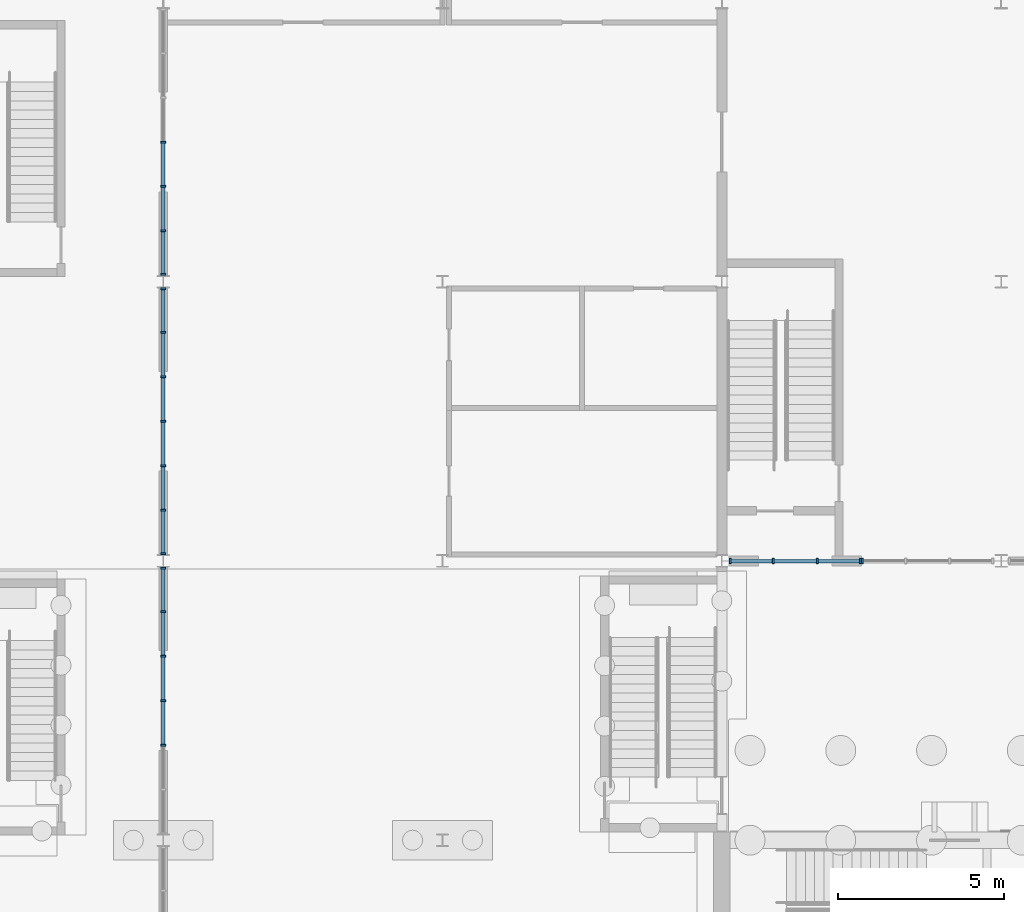
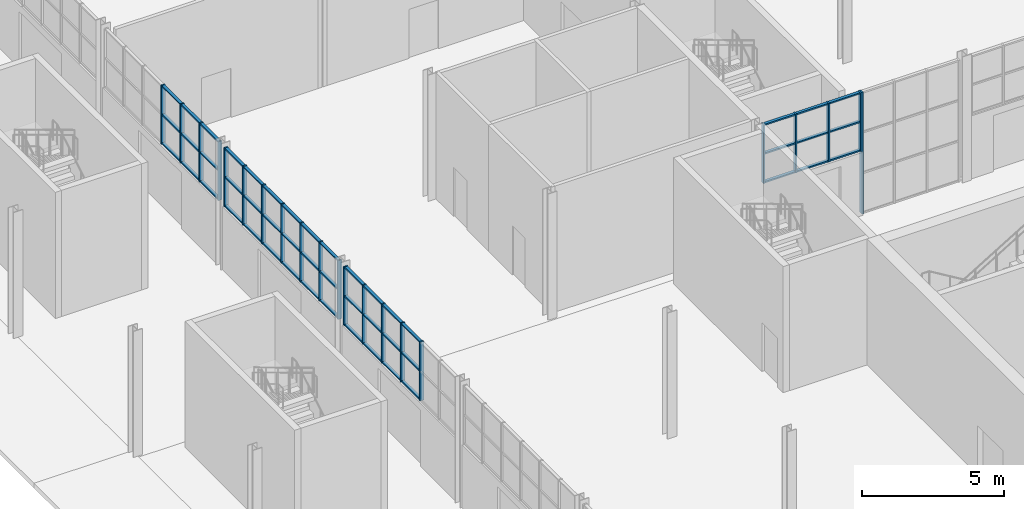
# One storey, part 38 of 127: 69 members, 5 elements without a shape of their own.
"""IFC4 building model written with IfcOpenShell, lengths in metres."""

from ifc_helpers import new_model, si_unit, direction, frame, origin, origin_2d, place, context, subcontext, project, spatial, rectangle, extrude, material, material_profile, profile_set, type_object, element, aggregate, save


model = new_model("IFC4")

# Units and contexts
model_context = context("Model", 3, precision=1e-05, world=origin(), true_north=direction((0.0, 1.0)))
body_context = subcontext(model_context, "Body", "Model", "MODEL_VIEW")
ifc_project = project(units=[si_unit("LENGTHUNIT", "METRE"), si_unit("AREAUNIT", "SQUARE_METRE"), si_unit("VOLUMEUNIT", "CUBIC_METRE"), si_unit("PLANEANGLEUNIT", "RADIAN"), si_unit("MASSUNIT", "GRAM", prefix="KILO")], contexts=[model_context])

# Site, building, storey
site_placement = place(None, origin())
site = spatial("IfcSite", under=ifc_project, at=site_placement, CompositionType="ELEMENT")
building_placement = place(site_placement, origin())
building = spatial("IfcBuilding", under=site, at=building_placement, Name="Ljudholm Concert House", CompositionType="ELEMENT")
storey_placement = place(building_placement, origin())
storey = spatial("IfcBuildingStorey", under=building, at=storey_placement, Name="L00", CompositionType="ELEMENT", Elevation=0.0)

# Curtain wall, members
ifc_material_1 = material(Name="Aluminium curtain wall with impact-rated laminated glass", Category="aluminium")
curtain_wall_type = type_object("IfcCurtainWallType", Name="CURTAIN WALL 1400", PredefinedType="NOTDEFINED", material=ifc_material_1)
curtain_wall_1_placement = place(storey_placement, origin())
curtain_wall_1 = element("IfcCurtainWall", 1, at=curtain_wall_1_placement, inside=storey, type_object=curtain_wall_type, Name="Foyer curtain wall", PredefinedType="NOTDEFINED")
ifc_material_2 = material(Name="Aluminium extrusion", Category="aluminium")
ifc_material_profile_1 = material_profile(ifc_material_2, rectangle(XDim=0.159912109375, YDim=0.06005859375, at=origin_2d()), Name="MULLION 60x160")
ifc_profile_set_1 = profile_set([ifc_material_profile_1], Name="Aluminium extrusion")
member_type_1 = type_object("IfcMemberType", Name="MULLION 60x160", PredefinedType="MULLION", material=ifc_profile_set_1)
member_1_placement = place(storey_placement, frame((12.39990234375, 99.26220703125, 2.699951171875), z_axis=(0.0, 0.0, 1.0), x_axis=(-1.0, 0.0, 0.0)))
member_1 = element("IfcMember", 2, at=member_1_placement, type_object=member_type_1, Name="Mullion", PredefinedType="MULLION", context=body_context, shape_type="SweptSolid", body=[
    extrude(rectangle(XDim=0.159912109375, YDim=0.06005859375, at=origin_2d()), origin(), (0.0, 0.0, 1.0), 2.52001953125),
])
member_2_placement = place(storey_placement, frame((12.39990234375, 100.60009765625, 2.699951171875), z_axis=(0.0, 0.0, 1.0), x_axis=(-1.0, 0.0, 0.0)))
member_2 = element("IfcMember", 3, at=member_2_placement, type_object=member_type_1, Name="Mullion", PredefinedType="MULLION", context=body_context, shape_type="SweptSolid", body=[
    extrude(rectangle(XDim=0.159912109375, YDim=0.06005859375, at=origin_2d()), origin(), (0.0, 0.0, 1.0), 2.52001953125),
])
member_3_placement = place(storey_placement, frame((12.39990234375, 101.937744140625, 2.699951171875), z_axis=(0.0, 0.0, 1.0), x_axis=(-1.0, 0.0, 0.0)))
member_3 = element("IfcMember", 4, at=member_3_placement, type_object=member_type_1, Name="Mullion", PredefinedType="MULLION", context=body_context, shape_type="SweptSolid", body=[
    extrude(rectangle(XDim=0.159912109375, YDim=0.06005859375, at=origin_2d()), origin(), (0.0, 0.0, 1.0), 2.52001953125),
])
member_4_placement = place(storey_placement, frame((12.39990234375, 103.275634765625, 2.699951171875), z_axis=(0.0, 0.0, 1.0), x_axis=(-1.0, 0.0, 0.0)))
member_4 = element("IfcMember", 5, at=member_4_placement, type_object=member_type_1, Name="Mullion", PredefinedType="MULLION", context=body_context, shape_type="SweptSolid", body=[
    extrude(rectangle(XDim=0.159912109375, YDim=0.06005859375, at=origin_2d()), origin(), (0.0, 0.0, 1.0), 2.52001953125),
])
member_5_placement = place(storey_placement, frame((12.39990234375, 104.583251953125, 2.699951171875), z_axis=(0.0, 0.0, 1.0), x_axis=(-1.0, 0.0, 0.0)))
member_5 = element("IfcMember", 6, at=member_5_placement, type_object=member_type_1, Name="Mullion", PredefinedType="MULLION", context=body_context, shape_type="SweptSolid", body=[
    extrude(rectangle(XDim=0.159912109375, YDim=0.06005859375, at=origin_2d()), origin(), (0.0, 0.0, 1.0), 2.52001953125),
])

curtain_wall_2_placement = place(storey_placement, origin())
curtain_wall_2 = element("IfcCurtainWall", 7, at=curtain_wall_2_placement, inside=storey, type_object=curtain_wall_type, Name="Foyer curtain wall", PredefinedType="NOTDEFINED")
member_6_placement = place(storey_placement, frame((12.39990234375, 105.0166015625, 2.699951171875), z_axis=(0.0, 0.0, 1.0), x_axis=(-1.0, 0.0, 0.0)))
member_6 = element("IfcMember", 8, at=member_6_placement, type_object=member_type_1, Name="Mullion", PredefinedType="MULLION", context=body_context, shape_type="SweptSolid", body=[
    extrude(rectangle(XDim=0.159912109375, YDim=0.06005859375, at=origin_2d()), origin(), (0.0, 0.0, 1.0), 2.52001953125),
])
member_7_placement = place(storey_placement, frame((12.39990234375, 106.324462890625, 2.699951171875), z_axis=(0.0, 0.0, 1.0), x_axis=(-1.0, 0.0, 0.0)))
member_7 = element("IfcMember", 9, at=member_7_placement, type_object=member_type_1, Name="Mullion", PredefinedType="MULLION", context=body_context, shape_type="SweptSolid", body=[
    extrude(rectangle(XDim=0.159912109375, YDim=0.06005859375, at=origin_2d()), origin(), (0.0, 0.0, 1.0), 2.52001953125),
])
member_8_placement = place(storey_placement, frame((12.39990234375, 107.662109375, 2.699951171875), z_axis=(0.0, 0.0, 1.0), x_axis=(-1.0, 0.0, 0.0)))
member_8 = element("IfcMember", 10, at=member_8_placement, type_object=member_type_1, Name="Mullion", PredefinedType="MULLION", context=body_context, shape_type="SweptSolid", body=[
    extrude(rectangle(XDim=0.159912109375, YDim=0.06005859375, at=origin_2d()), origin(), (0.0, 0.0, 1.0), 2.52001953125),
])
member_9_placement = place(storey_placement, frame((12.39990234375, 109.0, 2.699951171875), z_axis=(0.0, 0.0, 1.0), x_axis=(-1.0, 0.0, 0.0)))
member_9 = element("IfcMember", 11, at=member_9_placement, type_object=member_type_1, Name="Mullion", PredefinedType="MULLION", context=body_context, shape_type="SweptSolid", body=[
    extrude(rectangle(XDim=0.159912109375, YDim=0.06005859375, at=origin_2d()), origin(), (0.0, 0.0, 1.0), 2.52001953125),
])
member_10_placement = place(storey_placement, frame((12.39990234375, 110.337890625, 2.699951171875), z_axis=(0.0, 0.0, 1.0), x_axis=(-1.0, 0.0, 0.0)))
member_10 = element("IfcMember", 12, at=member_10_placement, type_object=member_type_1, Name="Mullion", PredefinedType="MULLION", context=body_context, shape_type="SweptSolid", body=[
    extrude(rectangle(XDim=0.159912109375, YDim=0.06005859375, at=origin_2d()), origin(), (0.0, 0.0, 1.0), 2.52001953125),
])
member_11_placement = place(storey_placement, frame((12.39990234375, 111.675537109375, 2.699951171875), z_axis=(0.0, 0.0, 1.0), x_axis=(-1.0, 0.0, 0.0)))
member_11 = element("IfcMember", 13, at=member_11_placement, type_object=member_type_1, Name="Mullion", PredefinedType="MULLION", context=body_context, shape_type="SweptSolid", body=[
    extrude(rectangle(XDim=0.159912109375, YDim=0.06005859375, at=origin_2d()), origin(), (0.0, 0.0, 1.0), 2.52001953125),
])
member_12_placement = place(storey_placement, frame((12.39990234375, 112.9833984375, 2.699951171875), z_axis=(0.0, 0.0, 1.0), x_axis=(-1.0, 0.0, 0.0)))
member_12 = element("IfcMember", 14, at=member_12_placement, type_object=member_type_1, Name="Mullion", PredefinedType="MULLION", context=body_context, shape_type="SweptSolid", body=[
    extrude(rectangle(XDim=0.159912109375, YDim=0.06005859375, at=origin_2d()), origin(), (0.0, 0.0, 1.0), 2.52001953125),
])

curtain_wall_3_placement = place(storey_placement, origin())
curtain_wall_3 = element("IfcCurtainWall", 15, at=curtain_wall_3_placement, inside=storey, type_object=curtain_wall_type, Name="Foyer curtain wall", PredefinedType="NOTDEFINED")
member_13_placement = place(storey_placement, frame((12.39990234375, 113.416748046875, 2.699951171875), z_axis=(0.0, 0.0, 1.0), x_axis=(-1.0, 0.0, 0.0)))
member_13 = element("IfcMember", 16, at=member_13_placement, type_object=member_type_1, Name="Mullion", PredefinedType="MULLION", context=body_context, shape_type="SweptSolid", body=[
    extrude(rectangle(XDim=0.159912109375, YDim=0.06005859375, at=origin_2d()), origin(), (0.0, 0.0, 1.0), 2.52001953125),
])
member_14_placement = place(storey_placement, frame((12.39990234375, 114.724365234375, 2.699951171875), z_axis=(0.0, 0.0, 1.0), x_axis=(-1.0, 0.0, 0.0)))
member_14 = element("IfcMember", 17, at=member_14_placement, type_object=member_type_1, Name="Mullion", PredefinedType="MULLION", context=body_context, shape_type="SweptSolid", body=[
    extrude(rectangle(XDim=0.159912109375, YDim=0.06005859375, at=origin_2d()), origin(), (0.0, 0.0, 1.0), 2.52001953125),
])
member_15_placement = place(storey_placement, frame((12.39990234375, 116.062255859375, 2.699951171875), z_axis=(0.0, 0.0, 1.0), x_axis=(-1.0, 0.0, 0.0)))
member_15 = element("IfcMember", 18, at=member_15_placement, type_object=member_type_1, Name="Mullion", PredefinedType="MULLION", context=body_context, shape_type="SweptSolid", body=[
    extrude(rectangle(XDim=0.159912109375, YDim=0.06005859375, at=origin_2d()), origin(), (0.0, 0.0, 1.0), 2.52001953125),
])
member_16_placement = place(storey_placement, frame((12.39990234375, 117.39990234375, 2.699951171875), z_axis=(0.0, 0.0, 1.0), x_axis=(-1.0, 0.0, 0.0)))
member_16 = element("IfcMember", 19, at=member_16_placement, type_object=member_type_1, Name="Mullion", PredefinedType="MULLION", context=body_context, shape_type="SweptSolid", body=[
    extrude(rectangle(XDim=0.159912109375, YDim=0.06005859375, at=origin_2d()), origin(), (0.0, 0.0, 1.0), 2.52001953125),
])

curtain_wall_4_placement = place(storey_placement, origin())
curtain_wall_4 = element("IfcCurtainWall", 20, at=curtain_wall_4_placement, inside=storey, type_object=curtain_wall_type, Name="Winter garden curtain wall", PredefinedType="NOTDEFINED")
member_17_placement = place(storey_placement, frame((29.449951171875, 104.800048828125, 2.699951171875), z_axis=(0.0, 0.0, 1.0), x_axis=(0.0, 1.0, 0.0)))
member_17 = element("IfcMember", 21, at=member_17_placement, type_object=member_type_1, Name="Mullion", PredefinedType="MULLION", context=body_context, shape_type="SweptSolid", body=[
    extrude(rectangle(XDim=0.159912109375, YDim=0.06005859375, at=origin_2d()), origin(), (0.0, 0.0, 1.0), 2.52001953125),
])
member_18_placement = place(storey_placement, frame((30.74658203125, 104.800048828125, 2.699951171875), z_axis=(0.0, 0.0, 1.0), x_axis=(0.0, 1.0, 0.0)))
member_18 = element("IfcMember", 22, at=member_18_placement, type_object=member_type_1, Name="Mullion", PredefinedType="MULLION", context=body_context, shape_type="SweptSolid", body=[
    extrude(rectangle(XDim=0.159912109375, YDim=0.06005859375, at=origin_2d()), origin(), (0.0, 0.0, 1.0), 2.52001953125),
])
member_19_placement = place(storey_placement, frame((32.0732421875, 104.800048828125, 2.699951171875), z_axis=(0.0, 0.0, 1.0), x_axis=(0.0, 1.0, 0.0)))
member_19 = element("IfcMember", 23, at=member_19_placement, type_object=member_type_1, Name="Mullion", PredefinedType="MULLION", context=body_context, shape_type="SweptSolid", body=[
    extrude(rectangle(XDim=0.159912109375, YDim=0.06005859375, at=origin_2d()), origin(), (0.0, 0.0, 1.0), 2.52001953125),
])
member_20_placement = place(storey_placement, frame((33.3701171875, 104.800048828125, 2.699951171875), z_axis=(0.0, 0.0, 1.0), x_axis=(0.0, 1.0, 0.0)))
member_20 = element("IfcMember", 24, at=member_20_placement, type_object=member_type_1, Name="Mullion", PredefinedType="MULLION", context=body_context, shape_type="SweptSolid", body=[
    extrude(rectangle(XDim=0.159912109375, YDim=0.06005859375, at=origin_2d()), origin(), (0.0, 0.0, 1.0), 2.52001953125),
])

# Curtain wall, member
curtain_wall_5_placement = place(storey_placement, origin())
curtain_wall_5 = element("IfcCurtainWall", 25, at=curtain_wall_5_placement, inside=storey, type_object=curtain_wall_type, Name="Winter garden curtain wall", PredefinedType="NOTDEFINED")
member_21_placement = place(storey_placement, frame((33.429931640625, 104.800048828125, 0.0), z_axis=(0.0, 0.0, 1.0), x_axis=(0.0, 1.0, 0.0)))
member_21 = element("IfcMember", 26, at=member_21_placement, type_object=member_type_1, Name="Mullion", PredefinedType="MULLION", context=body_context, shape_type="SweptSolid", body=[
    extrude(rectangle(XDim=0.159912109375, YDim=0.06005859375, at=origin_2d()), origin(), (0.0, 0.0, 1.0), 5.219970703125),
])
aggregate(curtain_wall_5, [member_21])

# Member
ifc_material_3 = material(Name="Aluminium extrusion", Category="aluminium")
ifc_material_profile_2 = material_profile(ifc_material_3, rectangle(XDim=0.1201171875, YDim=0.06005859375, at=origin_2d()), Name="TRANSOM 60x120")
ifc_profile_set_2 = profile_set([ifc_material_profile_2], Name="Aluminium extrusion")
member_type_2 = type_object("IfcMemberType", Name="TRANSOM 60x120", PredefinedType="USERDEFINED", material=ifc_profile_set_2)
member_22_placement = place(storey_placement, frame((12.39990234375, 99.292236328125, 2.72998046875), z_axis=(0.0, 1.0, 0.0), x_axis=(-1.0, 0.0, 0.0)))
member_22 = element("IfcMember", 27, at=member_22_placement, type_object=member_type_2, Name="Transom", ObjectType="TRANSOM", PredefinedType="USERDEFINED", context=body_context, shape_type="SweptSolid", body=[
    extrude(rectangle(XDim=0.1201171875, YDim=0.06005859375, at=origin_2d()), origin(), (0.0, 0.0, 1.0), 1.27783203125),
])

member_23_placement = place(storey_placement, frame((12.39990234375, 99.292236328125, 3.9599609375), z_axis=(0.0, 1.0, 0.0), x_axis=(-1.0, 0.0, 0.0)))
member_23 = element("IfcMember", 28, at=member_23_placement, type_object=member_type_2, Name="Transom", ObjectType="TRANSOM", PredefinedType="USERDEFINED", context=body_context, shape_type="SweptSolid", body=[
    extrude(rectangle(XDim=0.1201171875, YDim=0.06005859375, at=origin_2d()), origin(), (0.0, 0.0, 1.0), 1.27783203125),
])

member_24_placement = place(storey_placement, frame((12.39990234375, 99.292236328125, 5.18994140625), z_axis=(0.0, 1.0, 0.0), x_axis=(-1.0, 0.0, 0.0)))
member_24 = element("IfcMember", 29, at=member_24_placement, type_object=member_type_2, Name="Transom", ObjectType="TRANSOM", PredefinedType="USERDEFINED", context=body_context, shape_type="SweptSolid", body=[
    extrude(rectangle(XDim=0.1201171875, YDim=0.06005859375, at=origin_2d()), origin(), (0.0, 0.0, 1.0), 1.27783203125),
])

member_25_placement = place(storey_placement, frame((12.39990234375, 100.6298828125, 2.72998046875), z_axis=(0.0, 1.0, 0.0), x_axis=(-1.0, 0.0, 0.0)))
member_25 = element("IfcMember", 30, at=member_25_placement, type_object=member_type_2, Name="Transom", ObjectType="TRANSOM", PredefinedType="USERDEFINED", context=body_context, shape_type="SweptSolid", body=[
    extrude(rectangle(XDim=0.1201171875, YDim=0.06005859375, at=origin_2d()), origin(), (0.0, 0.0, 1.0), 1.27783203125),
])

member_26_placement = place(storey_placement, frame((12.39990234375, 100.6298828125, 3.9599609375), z_axis=(0.0, 1.0, 0.0), x_axis=(-1.0, 0.0, 0.0)))
member_26 = element("IfcMember", 31, at=member_26_placement, type_object=member_type_2, Name="Transom", ObjectType="TRANSOM", PredefinedType="USERDEFINED", context=body_context, shape_type="SweptSolid", body=[
    extrude(rectangle(XDim=0.1201171875, YDim=0.06005859375, at=origin_2d()), origin(), (0.0, 0.0, 1.0), 1.27783203125),
])

member_27_placement = place(storey_placement, frame((12.39990234375, 100.6298828125, 5.18994140625), z_axis=(0.0, 1.0, 0.0), x_axis=(-1.0, 0.0, 0.0)))
member_27 = element("IfcMember", 32, at=member_27_placement, type_object=member_type_2, Name="Transom", ObjectType="TRANSOM", PredefinedType="USERDEFINED", context=body_context, shape_type="SweptSolid", body=[
    extrude(rectangle(XDim=0.1201171875, YDim=0.06005859375, at=origin_2d()), origin(), (0.0, 0.0, 1.0), 1.27783203125),
])

member_28_placement = place(storey_placement, frame((12.39990234375, 101.9677734375, 2.72998046875), z_axis=(0.0, 1.0, 0.0), x_axis=(-1.0, 0.0, 0.0)))
member_28 = element("IfcMember", 33, at=member_28_placement, type_object=member_type_2, Name="Transom", ObjectType="TRANSOM", PredefinedType="USERDEFINED", context=body_context, shape_type="SweptSolid", body=[
    extrude(rectangle(XDim=0.1201171875, YDim=0.06005859375, at=origin_2d()), origin(), (0.0, 0.0, 1.0), 1.27783203125),
])

member_29_placement = place(storey_placement, frame((12.39990234375, 101.9677734375, 3.9599609375), z_axis=(0.0, 1.0, 0.0), x_axis=(-1.0, 0.0, 0.0)))
member_29 = element("IfcMember", 34, at=member_29_placement, type_object=member_type_2, Name="Transom", ObjectType="TRANSOM", PredefinedType="USERDEFINED", context=body_context, shape_type="SweptSolid", body=[
    extrude(rectangle(XDim=0.1201171875, YDim=0.06005859375, at=origin_2d()), origin(), (0.0, 0.0, 1.0), 1.27783203125),
])

member_30_placement = place(storey_placement, frame((12.39990234375, 101.9677734375, 5.18994140625), z_axis=(0.0, 1.0, 0.0), x_axis=(-1.0, 0.0, 0.0)))
member_30 = element("IfcMember", 35, at=member_30_placement, type_object=member_type_2, Name="Transom", ObjectType="TRANSOM", PredefinedType="USERDEFINED", context=body_context, shape_type="SweptSolid", body=[
    extrude(rectangle(XDim=0.1201171875, YDim=0.06005859375, at=origin_2d()), origin(), (0.0, 0.0, 1.0), 1.27783203125),
])

member_31_placement = place(storey_placement, frame((12.39990234375, 103.305419921875, 2.72998046875), z_axis=(0.0, 1.0, 0.0), x_axis=(-1.0, 0.0, 0.0)))
member_31 = element("IfcMember", 36, at=member_31_placement, type_object=member_type_2, Name="Transom", ObjectType="TRANSOM", PredefinedType="USERDEFINED", context=body_context, shape_type="SweptSolid", body=[
    extrude(rectangle(XDim=0.1201171875, YDim=0.06005859375, at=origin_2d()), origin(), (0.0, 0.0, 1.0), 1.247802734375),
])

member_32_placement = place(storey_placement, frame((12.39990234375, 103.305419921875, 3.9599609375), z_axis=(0.0, 1.0, 0.0), x_axis=(-1.0, 0.0, 0.0)))
member_32 = element("IfcMember", 37, at=member_32_placement, type_object=member_type_2, Name="Transom", ObjectType="TRANSOM", PredefinedType="USERDEFINED", context=body_context, shape_type="SweptSolid", body=[
    extrude(rectangle(XDim=0.1201171875, YDim=0.06005859375, at=origin_2d()), origin(), (0.0, 0.0, 1.0), 1.247802734375),
])

member_33_placement = place(storey_placement, frame((12.39990234375, 103.305419921875, 5.18994140625), z_axis=(0.0, 1.0, 0.0), x_axis=(-1.0, 0.0, 0.0)))
member_33 = element("IfcMember", 38, at=member_33_placement, type_object=member_type_2, Name="Transom", ObjectType="TRANSOM", PredefinedType="USERDEFINED", context=body_context, shape_type="SweptSolid", body=[
    extrude(rectangle(XDim=0.1201171875, YDim=0.06005859375, at=origin_2d()), origin(), (0.0, 0.0, 1.0), 1.247802734375),
])

aggregate(curtain_wall_1, [member_1, member_2, member_3, member_4, member_5, member_22, member_23, member_24, member_25, member_26, member_27, member_28, member_29, member_30, member_31, member_32, member_33])

member_34_placement = place(storey_placement, frame((12.39990234375, 105.046630859375, 2.72998046875), z_axis=(0.0, 1.0, 0.0), x_axis=(-1.0, 0.0, 0.0)))
member_34 = element("IfcMember", 39, at=member_34_placement, type_object=member_type_2, Name="Transom", ObjectType="TRANSOM", PredefinedType="USERDEFINED", context=body_context, shape_type="SweptSolid", body=[
    extrude(rectangle(XDim=0.1201171875, YDim=0.06005859375, at=origin_2d()), origin(), (0.0, 0.0, 1.0), 1.247802734375),
])

member_35_placement = place(storey_placement, frame((12.39990234375, 105.046630859375, 3.9599609375), z_axis=(0.0, 1.0, 0.0), x_axis=(-1.0, 0.0, 0.0)))
member_35 = element("IfcMember", 40, at=member_35_placement, type_object=member_type_2, Name="Transom", ObjectType="TRANSOM", PredefinedType="USERDEFINED", context=body_context, shape_type="SweptSolid", body=[
    extrude(rectangle(XDim=0.1201171875, YDim=0.06005859375, at=origin_2d()), origin(), (0.0, 0.0, 1.0), 1.247802734375),
])

member_36_placement = place(storey_placement, frame((12.39990234375, 105.046630859375, 5.18994140625), z_axis=(0.0, 1.0, 0.0), x_axis=(-1.0, 0.0, 0.0)))
member_36 = element("IfcMember", 41, at=member_36_placement, type_object=member_type_2, Name="Transom", ObjectType="TRANSOM", PredefinedType="USERDEFINED", context=body_context, shape_type="SweptSolid", body=[
    extrude(rectangle(XDim=0.1201171875, YDim=0.06005859375, at=origin_2d()), origin(), (0.0, 0.0, 1.0), 1.247802734375),
])

member_37_placement = place(storey_placement, frame((12.39990234375, 106.3544921875, 2.72998046875), z_axis=(0.0, 1.0, 0.0), x_axis=(-1.0, 0.0, 0.0)))
member_37 = element("IfcMember", 42, at=member_37_placement, type_object=member_type_2, Name="Transom", ObjectType="TRANSOM", PredefinedType="USERDEFINED", context=body_context, shape_type="SweptSolid", body=[
    extrude(rectangle(XDim=0.1201171875, YDim=0.06005859375, at=origin_2d()), origin(), (0.0, 0.0, 1.0), 1.27783203125),
])

member_38_placement = place(storey_placement, frame((12.39990234375, 106.3544921875, 3.9599609375), z_axis=(0.0, 1.0, 0.0), x_axis=(-1.0, 0.0, 0.0)))
member_38 = element("IfcMember", 43, at=member_38_placement, type_object=member_type_2, Name="Transom", ObjectType="TRANSOM", PredefinedType="USERDEFINED", context=body_context, shape_type="SweptSolid", body=[
    extrude(rectangle(XDim=0.1201171875, YDim=0.06005859375, at=origin_2d()), origin(), (0.0, 0.0, 1.0), 1.27783203125),
])

member_39_placement = place(storey_placement, frame((12.39990234375, 106.3544921875, 5.18994140625), z_axis=(0.0, 1.0, 0.0), x_axis=(-1.0, 0.0, 0.0)))
member_39 = element("IfcMember", 44, at=member_39_placement, type_object=member_type_2, Name="Transom", ObjectType="TRANSOM", PredefinedType="USERDEFINED", context=body_context, shape_type="SweptSolid", body=[
    extrude(rectangle(XDim=0.1201171875, YDim=0.06005859375, at=origin_2d()), origin(), (0.0, 0.0, 1.0), 1.27783203125),
])

member_40_placement = place(storey_placement, frame((12.39990234375, 107.692138671875, 2.72998046875), z_axis=(0.0, 1.0, 0.0), x_axis=(-1.0, 0.0, 0.0)))
member_40 = element("IfcMember", 45, at=member_40_placement, type_object=member_type_2, Name="Transom", ObjectType="TRANSOM", PredefinedType="USERDEFINED", context=body_context, shape_type="SweptSolid", body=[
    extrude(rectangle(XDim=0.1201171875, YDim=0.06005859375, at=origin_2d()), origin(), (0.0, 0.0, 1.0), 1.27783203125),
])

member_41_placement = place(storey_placement, frame((12.39990234375, 107.692138671875, 3.9599609375), z_axis=(0.0, 1.0, 0.0), x_axis=(-1.0, 0.0, 0.0)))
member_41 = element("IfcMember", 46, at=member_41_placement, type_object=member_type_2, Name="Transom", ObjectType="TRANSOM", PredefinedType="USERDEFINED", context=body_context, shape_type="SweptSolid", body=[
    extrude(rectangle(XDim=0.1201171875, YDim=0.06005859375, at=origin_2d()), origin(), (0.0, 0.0, 1.0), 1.27783203125),
])

member_42_placement = place(storey_placement, frame((12.39990234375, 107.692138671875, 5.18994140625), z_axis=(0.0, 1.0, 0.0), x_axis=(-1.0, 0.0, 0.0)))
member_42 = element("IfcMember", 47, at=member_42_placement, type_object=member_type_2, Name="Transom", ObjectType="TRANSOM", PredefinedType="USERDEFINED", context=body_context, shape_type="SweptSolid", body=[
    extrude(rectangle(XDim=0.1201171875, YDim=0.06005859375, at=origin_2d()), origin(), (0.0, 0.0, 1.0), 1.27783203125),
])

member_43_placement = place(storey_placement, frame((12.39990234375, 109.030029296875, 2.72998046875), z_axis=(0.0, 1.0, 0.0), x_axis=(-1.0, 0.0, 0.0)))
member_43 = element("IfcMember", 48, at=member_43_placement, type_object=member_type_2, Name="Transom", ObjectType="TRANSOM", PredefinedType="USERDEFINED", context=body_context, shape_type="SweptSolid", body=[
    extrude(rectangle(XDim=0.1201171875, YDim=0.06005859375, at=origin_2d()), origin(), (0.0, 0.0, 1.0), 1.27783203125),
])

member_44_placement = place(storey_placement, frame((12.39990234375, 109.030029296875, 3.9599609375), z_axis=(0.0, 1.0, 0.0), x_axis=(-1.0, 0.0, 0.0)))
member_44 = element("IfcMember", 49, at=member_44_placement, type_object=member_type_2, Name="Transom", ObjectType="TRANSOM", PredefinedType="USERDEFINED", context=body_context, shape_type="SweptSolid", body=[
    extrude(rectangle(XDim=0.1201171875, YDim=0.06005859375, at=origin_2d()), origin(), (0.0, 0.0, 1.0), 1.27783203125),
])

member_45_placement = place(storey_placement, frame((12.39990234375, 109.030029296875, 5.18994140625), z_axis=(0.0, 1.0, 0.0), x_axis=(-1.0, 0.0, 0.0)))
member_45 = element("IfcMember", 50, at=member_45_placement, type_object=member_type_2, Name="Transom", ObjectType="TRANSOM", PredefinedType="USERDEFINED", context=body_context, shape_type="SweptSolid", body=[
    extrude(rectangle(XDim=0.1201171875, YDim=0.06005859375, at=origin_2d()), origin(), (0.0, 0.0, 1.0), 1.27783203125),
])

member_46_placement = place(storey_placement, frame((12.39990234375, 110.36767578125, 2.72998046875), z_axis=(0.0, 1.0, 0.0), x_axis=(-1.0, 0.0, 0.0)))
member_46 = element("IfcMember", 51, at=member_46_placement, type_object=member_type_2, Name="Transom", ObjectType="TRANSOM", PredefinedType="USERDEFINED", context=body_context, shape_type="SweptSolid", body=[
    extrude(rectangle(XDim=0.1201171875, YDim=0.06005859375, at=origin_2d()), origin(), (0.0, 0.0, 1.0), 1.27783203125),
])

member_47_placement = place(storey_placement, frame((12.39990234375, 110.36767578125, 3.9599609375), z_axis=(0.0, 1.0, 0.0), x_axis=(-1.0, 0.0, 0.0)))
member_47 = element("IfcMember", 52, at=member_47_placement, type_object=member_type_2, Name="Transom", ObjectType="TRANSOM", PredefinedType="USERDEFINED", context=body_context, shape_type="SweptSolid", body=[
    extrude(rectangle(XDim=0.1201171875, YDim=0.06005859375, at=origin_2d()), origin(), (0.0, 0.0, 1.0), 1.27783203125),
])

member_48_placement = place(storey_placement, frame((12.39990234375, 110.36767578125, 5.18994140625), z_axis=(0.0, 1.0, 0.0), x_axis=(-1.0, 0.0, 0.0)))
member_48 = element("IfcMember", 53, at=member_48_placement, type_object=member_type_2, Name="Transom", ObjectType="TRANSOM", PredefinedType="USERDEFINED", context=body_context, shape_type="SweptSolid", body=[
    extrude(rectangle(XDim=0.1201171875, YDim=0.06005859375, at=origin_2d()), origin(), (0.0, 0.0, 1.0), 1.27783203125),
])

member_49_placement = place(storey_placement, frame((12.39990234375, 111.70556640625, 2.72998046875), z_axis=(0.0, 1.0, 0.0), x_axis=(-1.0, 0.0, 0.0)))
member_49 = element("IfcMember", 54, at=member_49_placement, type_object=member_type_2, Name="Transom", ObjectType="TRANSOM", PredefinedType="USERDEFINED", context=body_context, shape_type="SweptSolid", body=[
    extrude(rectangle(XDim=0.1201171875, YDim=0.06005859375, at=origin_2d()), origin(), (0.0, 0.0, 1.0), 1.247802734375),
])

member_50_placement = place(storey_placement, frame((12.39990234375, 111.70556640625, 3.9599609375), z_axis=(0.0, 1.0, 0.0), x_axis=(-1.0, 0.0, 0.0)))
member_50 = element("IfcMember", 55, at=member_50_placement, type_object=member_type_2, Name="Transom", ObjectType="TRANSOM", PredefinedType="USERDEFINED", context=body_context, shape_type="SweptSolid", body=[
    extrude(rectangle(XDim=0.1201171875, YDim=0.06005859375, at=origin_2d()), origin(), (0.0, 0.0, 1.0), 1.247802734375),
])

member_51_placement = place(storey_placement, frame((12.39990234375, 111.70556640625, 5.18994140625), z_axis=(0.0, 1.0, 0.0), x_axis=(-1.0, 0.0, 0.0)))
member_51 = element("IfcMember", 56, at=member_51_placement, type_object=member_type_2, Name="Transom", ObjectType="TRANSOM", PredefinedType="USERDEFINED", context=body_context, shape_type="SweptSolid", body=[
    extrude(rectangle(XDim=0.1201171875, YDim=0.06005859375, at=origin_2d()), origin(), (0.0, 0.0, 1.0), 1.247802734375),
])

aggregate(curtain_wall_2, [member_6, member_7, member_8, member_9, member_10, member_11, member_12, member_34, member_35, member_36, member_37, member_38, member_39, member_40, member_41, member_42, member_43, member_44, member_45, member_46, member_47, member_48, member_49, member_50, member_51])

member_52_placement = place(storey_placement, frame((12.39990234375, 113.44677734375, 2.72998046875), z_axis=(0.0, 1.0, 0.0), x_axis=(-1.0, 0.0, 0.0)))
member_52 = element("IfcMember", 57, at=member_52_placement, type_object=member_type_2, Name="Transom", ObjectType="TRANSOM", PredefinedType="USERDEFINED", context=body_context, shape_type="SweptSolid", body=[
    extrude(rectangle(XDim=0.1201171875, YDim=0.06005859375, at=origin_2d()), origin(), (0.0, 0.0, 1.0), 1.247802734375),
])

member_53_placement = place(storey_placement, frame((12.39990234375, 113.44677734375, 3.9599609375), z_axis=(0.0, 1.0, 0.0), x_axis=(-1.0, 0.0, 0.0)))
member_53 = element("IfcMember", 58, at=member_53_placement, type_object=member_type_2, Name="Transom", ObjectType="TRANSOM", PredefinedType="USERDEFINED", context=body_context, shape_type="SweptSolid", body=[
    extrude(rectangle(XDim=0.1201171875, YDim=0.06005859375, at=origin_2d()), origin(), (0.0, 0.0, 1.0), 1.247802734375),
])

member_54_placement = place(storey_placement, frame((12.39990234375, 113.44677734375, 5.18994140625), z_axis=(0.0, 1.0, 0.0), x_axis=(-1.0, 0.0, 0.0)))
member_54 = element("IfcMember", 59, at=member_54_placement, type_object=member_type_2, Name="Transom", ObjectType="TRANSOM", PredefinedType="USERDEFINED", context=body_context, shape_type="SweptSolid", body=[
    extrude(rectangle(XDim=0.1201171875, YDim=0.06005859375, at=origin_2d()), origin(), (0.0, 0.0, 1.0), 1.247802734375),
])

member_55_placement = place(storey_placement, frame((12.39990234375, 114.75439453125, 2.72998046875), z_axis=(0.0, 1.0, 0.0), x_axis=(-1.0, 0.0, 0.0)))
member_55 = element("IfcMember", 60, at=member_55_placement, type_object=member_type_2, Name="Transom", ObjectType="TRANSOM", PredefinedType="USERDEFINED", context=body_context, shape_type="SweptSolid", body=[
    extrude(rectangle(XDim=0.1201171875, YDim=0.06005859375, at=origin_2d()), origin(), (0.0, 0.0, 1.0), 1.27783203125),
])

member_56_placement = place(storey_placement, frame((12.39990234375, 114.75439453125, 3.9599609375), z_axis=(0.0, 1.0, 0.0), x_axis=(-1.0, 0.0, 0.0)))
member_56 = element("IfcMember", 61, at=member_56_placement, type_object=member_type_2, Name="Transom", ObjectType="TRANSOM", PredefinedType="USERDEFINED", context=body_context, shape_type="SweptSolid", body=[
    extrude(rectangle(XDim=0.1201171875, YDim=0.06005859375, at=origin_2d()), origin(), (0.0, 0.0, 1.0), 1.27783203125),
])

member_57_placement = place(storey_placement, frame((12.39990234375, 114.75439453125, 5.18994140625), z_axis=(0.0, 1.0, 0.0), x_axis=(-1.0, 0.0, 0.0)))
member_57 = element("IfcMember", 62, at=member_57_placement, type_object=member_type_2, Name="Transom", ObjectType="TRANSOM", PredefinedType="USERDEFINED", context=body_context, shape_type="SweptSolid", body=[
    extrude(rectangle(XDim=0.1201171875, YDim=0.06005859375, at=origin_2d()), origin(), (0.0, 0.0, 1.0), 1.27783203125),
])

member_58_placement = place(storey_placement, frame((12.39990234375, 116.09228515625, 2.72998046875), z_axis=(0.0, 1.0, 0.0), x_axis=(-1.0, 0.0, 0.0)))
member_58 = element("IfcMember", 63, at=member_58_placement, type_object=member_type_2, Name="Transom", ObjectType="TRANSOM", PredefinedType="USERDEFINED", context=body_context, shape_type="SweptSolid", body=[
    extrude(rectangle(XDim=0.1201171875, YDim=0.06005859375, at=origin_2d()), origin(), (0.0, 0.0, 1.0), 1.27783203125),
])

member_59_placement = place(storey_placement, frame((12.39990234375, 116.09228515625, 3.9599609375), z_axis=(0.0, 1.0, 0.0), x_axis=(-1.0, 0.0, 0.0)))
member_59 = element("IfcMember", 64, at=member_59_placement, type_object=member_type_2, Name="Transom", ObjectType="TRANSOM", PredefinedType="USERDEFINED", context=body_context, shape_type="SweptSolid", body=[
    extrude(rectangle(XDim=0.1201171875, YDim=0.06005859375, at=origin_2d()), origin(), (0.0, 0.0, 1.0), 1.27783203125),
])

member_60_placement = place(storey_placement, frame((12.39990234375, 116.09228515625, 5.18994140625), z_axis=(0.0, 1.0, 0.0), x_axis=(-1.0, 0.0, 0.0)))
member_60 = element("IfcMember", 65, at=member_60_placement, type_object=member_type_2, Name="Transom", ObjectType="TRANSOM", PredefinedType="USERDEFINED", context=body_context, shape_type="SweptSolid", body=[
    extrude(rectangle(XDim=0.1201171875, YDim=0.06005859375, at=origin_2d()), origin(), (0.0, 0.0, 1.0), 1.27783203125),
])

aggregate(curtain_wall_3, [member_13, member_14, member_15, member_16, member_52, member_53, member_54, member_55, member_56, member_57, member_58, member_59, member_60])

member_61_placement = place(storey_placement, frame((29.47998046875, 104.800048828125, 2.72998046875), z_axis=(1.0, 0.0, 0.0), x_axis=(0.0, 1.0, 0.0)))
member_61 = element("IfcMember", 66, at=member_61_placement, type_object=member_type_2, Name="Transom", ObjectType="TRANSOM", PredefinedType="USERDEFINED", context=body_context, shape_type="SweptSolid", body=[
    extrude(rectangle(XDim=0.1201171875, YDim=0.06005859375, at=origin_2d()), origin(), (0.0, 0.0, 1.0), 1.236572265625),
])

member_62_placement = place(storey_placement, frame((29.47998046875, 104.800048828125, 3.9599609375), z_axis=(1.0, 0.0, 0.0), x_axis=(0.0, 1.0, 0.0)))
member_62 = element("IfcMember", 67, at=member_62_placement, type_object=member_type_2, Name="Transom", ObjectType="TRANSOM", PredefinedType="USERDEFINED", context=body_context, shape_type="SweptSolid", body=[
    extrude(rectangle(XDim=0.1201171875, YDim=0.06005859375, at=origin_2d()), origin(), (0.0, 0.0, 1.0), 1.236572265625),
])

member_63_placement = place(storey_placement, frame((29.47998046875, 104.800048828125, 5.18994140625), z_axis=(1.0, 0.0, 0.0), x_axis=(0.0, 1.0, 0.0)))
member_63 = element("IfcMember", 68, at=member_63_placement, type_object=member_type_2, Name="Transom", ObjectType="TRANSOM", PredefinedType="USERDEFINED", context=body_context, shape_type="SweptSolid", body=[
    extrude(rectangle(XDim=0.1201171875, YDim=0.06005859375, at=origin_2d()), origin(), (0.0, 0.0, 1.0), 1.236572265625),
])

member_64_placement = place(storey_placement, frame((30.776611328125, 104.800048828125, 2.72998046875), z_axis=(1.0, 0.0, 0.0), x_axis=(0.0, 1.0, 0.0)))
member_64 = element("IfcMember", 69, at=member_64_placement, type_object=member_type_2, Name="Transom", ObjectType="TRANSOM", PredefinedType="USERDEFINED", context=body_context, shape_type="SweptSolid", body=[
    extrude(rectangle(XDim=0.1201171875, YDim=0.06005859375, at=origin_2d()), origin(), (0.0, 0.0, 1.0), 1.2666015625),
])

member_65_placement = place(storey_placement, frame((30.776611328125, 104.800048828125, 3.9599609375), z_axis=(1.0, 0.0, 0.0), x_axis=(0.0, 1.0, 0.0)))
member_65 = element("IfcMember", 70, at=member_65_placement, type_object=member_type_2, Name="Transom", ObjectType="TRANSOM", PredefinedType="USERDEFINED", context=body_context, shape_type="SweptSolid", body=[
    extrude(rectangle(XDim=0.1201171875, YDim=0.06005859375, at=origin_2d()), origin(), (0.0, 0.0, 1.0), 1.2666015625),
])

member_66_placement = place(storey_placement, frame((30.776611328125, 104.800048828125, 5.18994140625), z_axis=(1.0, 0.0, 0.0), x_axis=(0.0, 1.0, 0.0)))
member_66 = element("IfcMember", 71, at=member_66_placement, type_object=member_type_2, Name="Transom", ObjectType="TRANSOM", PredefinedType="USERDEFINED", context=body_context, shape_type="SweptSolid", body=[
    extrude(rectangle(XDim=0.1201171875, YDim=0.06005859375, at=origin_2d()), origin(), (0.0, 0.0, 1.0), 1.2666015625),
])

member_67_placement = place(storey_placement, frame((32.103271484375, 104.800048828125, 2.72998046875), z_axis=(1.0, 0.0, 0.0), x_axis=(0.0, 1.0, 0.0)))
member_67 = element("IfcMember", 72, at=member_67_placement, type_object=member_type_2, Name="Transom", ObjectType="TRANSOM", PredefinedType="USERDEFINED", context=body_context, shape_type="SweptSolid", body=[
    extrude(rectangle(XDim=0.1201171875, YDim=0.06005859375, at=origin_2d()), origin(), (0.0, 0.0, 1.0), 1.23681640625),
])

member_68_placement = place(storey_placement, frame((32.103271484375, 104.800048828125, 3.9599609375), z_axis=(1.0, 0.0, 0.0), x_axis=(0.0, 1.0, 0.0)))
member_68 = element("IfcMember", 73, at=member_68_placement, type_object=member_type_2, Name="Transom", ObjectType="TRANSOM", PredefinedType="USERDEFINED", context=body_context, shape_type="SweptSolid", body=[
    extrude(rectangle(XDim=0.1201171875, YDim=0.06005859375, at=origin_2d()), origin(), (0.0, 0.0, 1.0), 1.23681640625),
])

member_69_placement = place(storey_placement, frame((32.103271484375, 104.800048828125, 5.18994140625), z_axis=(1.0, 0.0, 0.0), x_axis=(0.0, 1.0, 0.0)))
member_69 = element("IfcMember", 74, at=member_69_placement, type_object=member_type_2, Name="Transom", ObjectType="TRANSOM", PredefinedType="USERDEFINED", context=body_context, shape_type="SweptSolid", body=[
    extrude(rectangle(XDim=0.1201171875, YDim=0.06005859375, at=origin_2d()), origin(), (0.0, 0.0, 1.0), 1.23681640625),
])

aggregate(curtain_wall_4, [member_17, member_18, member_19, member_20, member_61, member_62, member_63, member_64, member_65, member_66, member_67, member_68, member_69])

save(model, "model.ifc")
